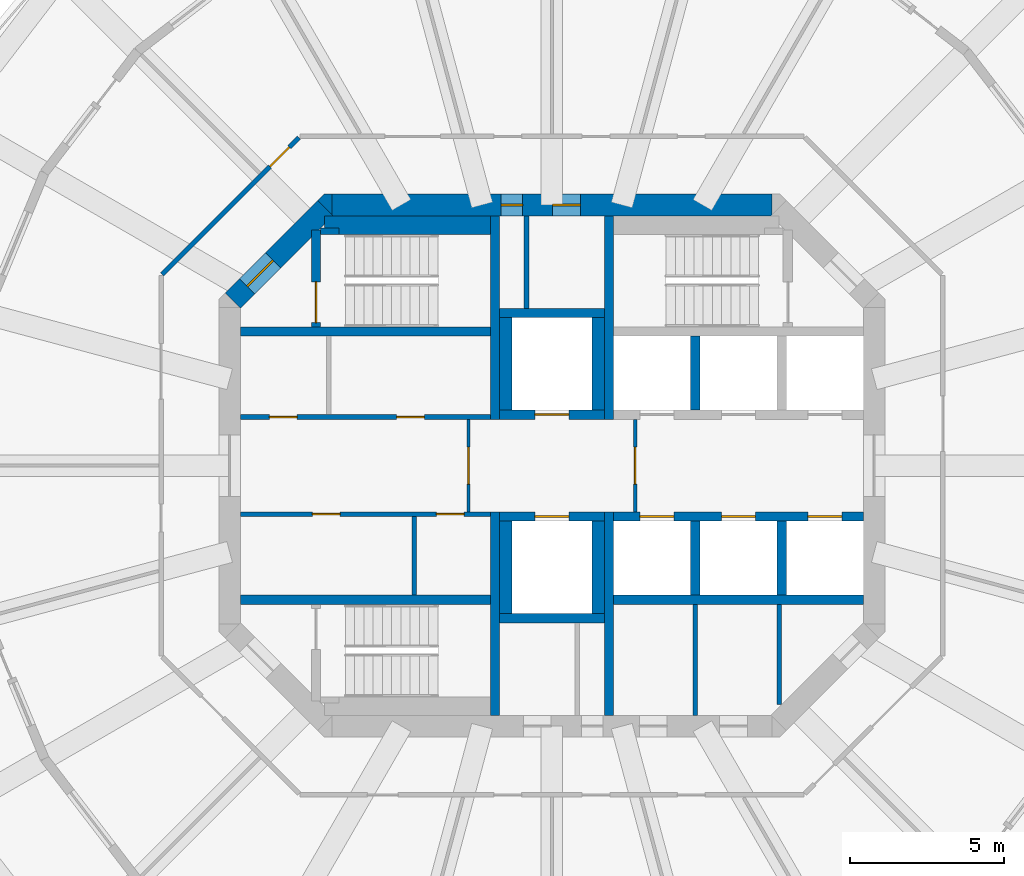
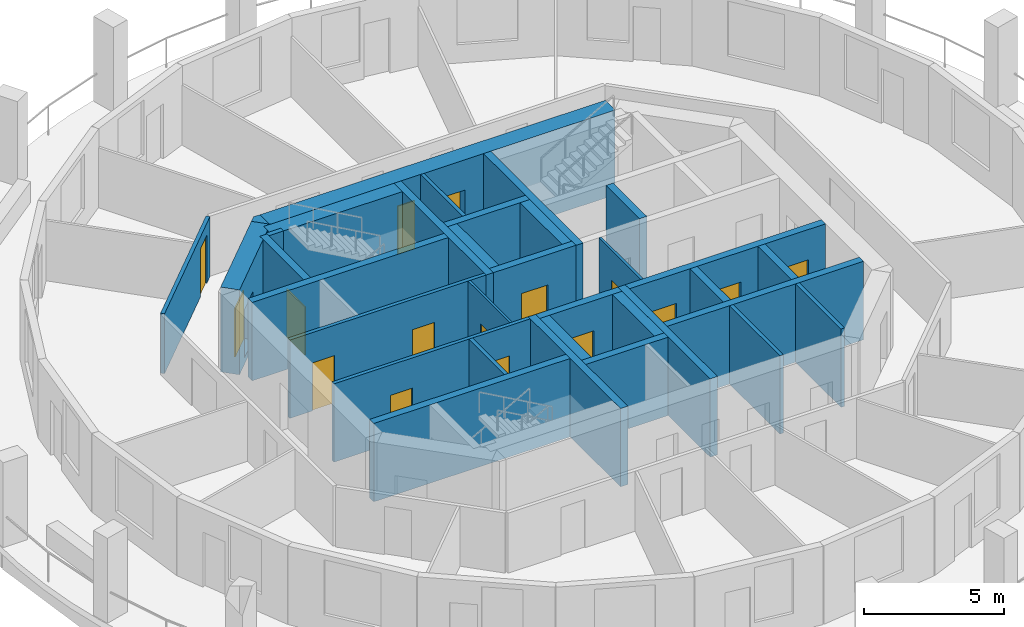
# One storey, part 4 of 9: 34 walls, 16 doors, 16 openings.
"""IFC4 building model written with IfcOpenShell, lengths in metres."""

from ifc_helpers import new_model, si_unit, direction, frame, frame_2d, origin, place, context, subcontext, project, spatial, polyline, rectangle, outline, extrude, material, layer, layer_set, type_object, element, fill, save


model = new_model("IFC4")

# Units and contexts
model_context = context("Model", 3, precision=1e-05, world=origin(), true_north=direction((0.0, 1.0)))
body_context = subcontext(model_context, "Body", "Model", "MODEL_VIEW")
ifc_project = project(units=[si_unit("LENGTHUNIT", "METRE"), si_unit("AREAUNIT", "SQUARE_METRE"), si_unit("VOLUMEUNIT", "CUBIC_METRE"), si_unit("PLANEANGLEUNIT", "RADIAN"), si_unit("MASSUNIT", "GRAM", prefix="KILO")], contexts=[model_context])

# Site, building, storey
site_placement = place(None, origin())
site = spatial("IfcSite", under=ifc_project, at=site_placement, CompositionType="ELEMENT")
building_placement = place(site_placement, origin())
building = spatial("IfcBuilding", under=site, at=building_placement, Name="Torre Triforio", CompositionType="ELEMENT")
storey_placement = place(building_placement, frame((0.0, 0.0, 180.10009765625)))
storey = spatial("IfcBuildingStorey", under=building, at=storey_placement, Name="L41", CompositionType="ELEMENT", Elevation=180.10009765625)

# Walls
ifc_material_1 = material(Name="Concrete C50", Category="concrete")
ifc_layer_1 = layer(ifc_material_1, 0.300048828125)
ifc_layer_set_1 = layer_set([ifc_layer_1], Name="Concrete C50")
wall_type_1 = type_object("IfcWallType", Name="Core wall 300 mm C50 EI 120", PredefinedType="SHEAR", material=ifc_layer_set_1)
for number, where, z_axis, x_axis, name in (
    (1, (-1.85009765625, 1.5, 0.0), (0.0, 0.0, 1.0), (0.0, 1.0, 0.0), "Core wall"),
    (2, (-1.85009765625, -8.10009765625, 0.0), (0.0, 0.0, 1.0), (0.0, 1.0, 0.0), "Core wall"),
    (3, (1.85009765625, 1.5, 0.0), (0.0, 0.0, 1.0), (0.0, 1.0, 0.0), "Core wall"),
    (4, (1.85009765625, -8.10009765625, 0.0), (0.0, 0.0, 1.0), (0.0, 1.0, 0.0), "Core wall"),
):
    element("IfcWall", number, at=place(storey_placement, frame(where, z_axis=z_axis, x_axis=x_axis)), inside=storey, type_object=wall_type_1, Name=name, PredefinedType="SHEAR", context=body_context, shape_type="SweptSolid", body=[
        extrude(rectangle(XDim=6.60009765625, YDim=0.300048828125, at=frame_2d((3.300048828125, 0.0))), origin(), (0.0, 0.0, 1.0), 3.419921875),
    ])

# Wall, openings, doors
ifc_layer_2 = layer(ifc_material_1, 0.699951171875)
ifc_layer_set_2 = layer_set([ifc_layer_2], Name="Concrete C50")
wall_type_2 = type_object("IfcWallType", Name="Core wall 700 mm C50 EI 120", PredefinedType="SHEAR", material=ifc_layer_set_2)
wall_1_placement = place(storey_placement, frame((-7.1298828125, 8.449951171875, -0.280029296875), z_axis=(0.0, 0.0, 1.0), x_axis=(1.0, 0.0, 0.0)))
wall_1 = element("IfcWall", 5, at=wall_1_placement, inside=storey, type_object=wall_type_2, Name="Core wall", PredefinedType="SHEAR", context=body_context, shape_type="SweptSolid", body=[
    extrude(rectangle(XDim=14.259765625, YDim=0.699951171875, at=frame_2d((7.1298828125, 0.0))), origin(), (0.0, 0.0, 1.0), 3.699951171875),
])
opening_1_placement = place(wall_1_placement, frame((5.47998046875, 0.0, 0.280029296875)))
opening_1 = element("IfcOpeningElement", 6, at=opening_1_placement, cuts=wall_1, Name="Opening RISER-N", PredefinedType="OPENING", context=body_context, shape_type="SweptSolid", body=[
    extrude(rectangle(XDim=0.699951171875, YDim=2.10009765625, at=frame_2d((0.35009765625, 1.050048828125))), frame((0.0, 0.35986328125, 0.0), z_axis=(0.0, -1.0, 0.0), x_axis=(1.0, 0.0, 0.0)), (0.0, 0.0, 1.0), 0.719970703125),
])
opening_2_placement = place(wall_1_placement, frame((7.155029296875, 0.0, 0.280029296875)))
opening_2 = element("IfcOpeningElement", 7, at=opening_2_placement, cuts=wall_1, Name="Opening NE-01", PredefinedType="OPENING", context=body_context, shape_type="SweptSolid", body=[
    extrude(rectangle(XDim=0.89990234375, YDim=2.10009765625, at=frame_2d((0.449951171875, 1.050048828125))), frame((0.0, 0.35986328125, 0.0), z_axis=(0.0, -1.0, 0.0), x_axis=(1.0, 0.0, 0.0)), (0.0, 0.0, 1.0), 0.719970703125),
])
ifc_material_2 = material(Name="Hollow metal fire door leaf")
door_type_1 = type_object("IfcDoorType", Name="Riser door 700 x 2100 EI 60", OperationType="NOTDEFINED", PredefinedType="DOOR", material=ifc_material_2)
door_1_placement = place(opening_1_placement, origin())
door_1 = element("IfcDoor", 8, at=door_1_placement, inside=storey, type_object=door_type_1, Name="Core door RISER-N", OperationType="SINGLE_SWING_LEFT", OverallHeight=2.10009765625, OverallWidth=0.699951171875, PredefinedType="DOOR", context=body_context, shape_type="SweptSolid", body=[
    extrude(rectangle(XDim=0.699951171875, YDim=2.10009765625, at=frame_2d((0.35009765625, 1.050048828125))), frame((0.0, 0.02490234375, 0.0), z_axis=(0.0, -1.0, 0.0), x_axis=(1.0, 0.0, 0.0)), (0.0, 0.0, 1.0), 0.050048828125),
])
fill(opening_1, door_1)
door_type_2 = type_object("IfcDoorType", Name="Room door 900 x 2100 EI 60", OperationType="NOTDEFINED", PredefinedType="DOOR", material=ifc_material_2)
door_2_placement = place(opening_2_placement, origin())
door_2 = element("IfcDoor", 9, at=door_2_placement, inside=storey, type_object=door_type_2, Name="Core door NE-01", OperationType="SINGLE_SWING_RIGHT", OverallHeight=2.10009765625, OverallWidth=0.89990234375, PredefinedType="DOOR", context=body_context, shape_type="SweptSolid", body=[
    extrude(rectangle(XDim=0.89990234375, YDim=2.10009765625, at=frame_2d((0.449951171875, 1.050048828125))), frame((0.0, 0.02490234375, 0.0), z_axis=(0.0, -1.0, 0.0), x_axis=(1.0, 0.0, 0.0)), (0.0, 0.0, 1.0), 0.050048828125),
])
fill(opening_2, door_2)

# Wall, opening, door
wall_2_placement = place(storey_placement, frame((-10.347412109375, 5.347412109375, -0.280029296875), z_axis=(0.0, 0.0, 1.0), x_axis=(0.707106781187, 0.707106781187, 0.0)))
wall_2 = element("IfcWall", 10, at=wall_2_placement, inside=storey, type_object=wall_type_2, Name="Core wall", PredefinedType="SHEAR", context=body_context, shape_type="SweptSolid", body=[
    extrude(rectangle(XDim=4.24267578125, YDim=0.699951171875, at=frame_2d((2.121337890625, 0.0))), origin(), (0.0, 0.0, 1.0), 3.699951171875),
])
opening_3_placement = place(wall_2_placement, frame((0.64990234375, 0.0, 0.280029296875)))
opening_3 = element("IfcOpeningElement", 11, at=opening_3_placement, cuts=wall_2, Name="Opening ST1-EXIT", PredefinedType="OPENING", context=body_context, shape_type="SweptSolid", body=[
    extrude(rectangle(XDim=1.199951171875, YDim=2.10009765625, at=frame_2d((0.60009765625, 1.050048828125))), frame((0.0, 0.35986328125, 0.0), z_axis=(0.0, -1.0, 0.0), x_axis=(1.0, 0.0, 0.0)), (0.0, 0.0, 1.0), 0.719970703125),
])
door_type_3 = type_object("IfcDoorType", Name="Stair lobby door 1200 x 2100 EI 60", OperationType="NOTDEFINED", PredefinedType="DOOR", material=ifc_material_2)
door_3_placement = place(opening_3_placement, origin())
door_3 = element("IfcDoor", 12, at=door_3_placement, inside=storey, type_object=door_type_3, Name="Core door ST1-EXIT", OperationType="SINGLE_SWING_RIGHT", OverallHeight=2.10009765625, OverallWidth=1.199951171875, PredefinedType="DOOR", context=body_context, shape_type="SweptSolid", body=[
    extrude(rectangle(XDim=1.199951171875, YDim=2.10009765625, at=frame_2d((0.60009765625, 1.050048828125))), frame((0.0, 0.02490234375, 0.0), z_axis=(0.0, -1.0, 0.0), x_axis=(1.0, 0.0, 0.0)), (0.0, 0.0, 1.0), 0.050048828125),
])
fill(opening_3, door_3)

# Wall
wall_3_placement = place(storey_placement, frame((0.0, 0.0, -0.280029296875)))
element("IfcWall", 13, at=wall_3_placement, inside=storey, type_object=wall_type_2, Name="Core wall", PredefinedType="SHEAR", context=body_context, shape_type="SweptSolid", body=[
    extrude(outline(polyline([(-7.389892578125, 8.800048828125), (-7.1298828125, 8.800048828125), (-7.1298828125, 8.800048828125), (-7.1298828125, 8.1298828125), (-7.594970703125, 8.594970703125), (-7.594970703125, 8.594970703125), (-7.594970703125, 8.594970703125), (-7.389892578125, 8.800048828125)])), origin(), (0.0, 0.0, 1.0), 3.699951171875),
])

# Wall, opening, door
ifc_material_3 = material(Name="Plasterboard on metal studs")
ifc_layer_3 = layer(ifc_material_3, 0.14990234375)
ifc_layer_set_3 = layer_set([ifc_layer_3], Name="Plasterboard on metal studs")
wall_type_3 = type_object("IfcWallType", Name="Corridor and tenancy wall 150 mm EI 60", PredefinedType="PARTITIONING", material=ifc_layer_set_3)
wall_4_placement = place(storey_placement, frame((-12.637939453125, 6.20361328125, 0.0), z_axis=(0.0, 0.0, 1.0), x_axis=(0.707106781187, 0.707106781187, 0.0)))
wall_4 = element("IfcWall", 14, at=wall_4_placement, inside=storey, type_object=wall_type_3, Name="Partition 5", PredefinedType="PARTITIONING", context=body_context, shape_type="SweptSolid", body=[
    extrude(rectangle(XDim=6.27099609375, YDim=0.14990234375, at=frame_2d((3.135498046875, 0.0))), origin(), (0.0, 0.0, 1.0), 2.619873046875),
])
opening_4_placement = place(wall_4_placement, frame((4.935302734375, 0.0, 0.0)))
opening_4 = element("IfcOpeningElement", 15, at=opening_4_placement, cuts=wall_4, Name="Opening O3-15", PredefinedType="OPENING", context=body_context, shape_type="SweptSolid", body=[
    extrude(rectangle(XDim=0.89990234375, YDim=2.10009765625, at=frame_2d((0.449951171875, 1.050048828125))), frame((0.0, 0.0849609375, 0.0), z_axis=(0.0, -1.0, 0.0), x_axis=(1.0, 0.0, 0.0)), (0.0, 0.0, 1.0), 0.169921875),
])
ifc_material_4 = material(Name="Timber", Category="wood")
door_type_4 = type_object("IfcDoorType", Name="Door 900 x 2100 single leaf EI 30", OperationType="NOTDEFINED", PredefinedType="DOOR", material=ifc_material_4)
door_4_placement = place(opening_4_placement, origin())
door_4 = element("IfcDoor", 16, at=door_4_placement, inside=storey, type_object=door_type_4, Name="Door O3-15", OperationType="SINGLE_SWING_LEFT", OverallHeight=2.10009765625, OverallWidth=0.89990234375, PredefinedType="DOOR", context=body_context, shape_type="SweptSolid", body=[
    extrude(rectangle(XDim=0.89990234375, YDim=2.10009765625, at=frame_2d((0.449951171875, 1.050048828125))), frame((0.0, 0.02490234375, 0.0), z_axis=(0.0, -1.0, 0.0), x_axis=(1.0, 0.0, 0.0)), (0.0, 0.0, 1.0), 0.050048828125),
])
fill(opening_4, door_4)

ifc_material_5 = material(Name="Block and board partition")
ifc_layer_4 = layer(ifc_material_5, 0.10009765625)
ifc_layer_set_4 = layer_set([ifc_layer_4], Name="Block and board partition")
wall_type_4 = type_object("IfcWallType", Name="Partition 100 mm EI 120", PredefinedType="PARTITIONING", material=ifc_layer_set_4)
wall_5_placement = place(storey_placement, frame((-2.699951171875, -1.5, 0.0), z_axis=(0.0, 0.0, 1.0), x_axis=(0.0, 1.0, 0.0)))
wall_5 = element("IfcWall", 17, at=wall_5_placement, inside=storey, type_object=wall_type_4, Name="Partition", PredefinedType="PARTITIONING", context=body_context, shape_type="SweptSolid", body=[
    extrude(rectangle(XDim=3.0, YDim=0.10009765625, at=frame_2d((1.5, 0.0))), origin(), (0.0, 0.0, 1.0), 3.419921875),
])
opening_5_placement = place(wall_5_placement, frame((0.89990234375, 0.0, 0.0)))
opening_5 = element("IfcOpeningElement", 18, at=opening_5_placement, cuts=wall_5, Name="Opening FF-W", PredefinedType="OPENING", context=body_context, shape_type="SweptSolid", body=[
    extrude(rectangle(XDim=1.199951171875, YDim=2.10009765625, at=frame_2d((0.60009765625, 1.050048828125))), frame((0.0, 0.06005859375, 0.0), z_axis=(0.0, -1.0, 0.0), x_axis=(1.0, 0.0, 0.0)), (0.0, 0.0, 1.0), 0.1201171875),
])
door_type_5 = type_object("IfcDoorType", Name="Fire-fighting lobby door 1200 x 2100 EI 60", OperationType="NOTDEFINED", PredefinedType="DOOR", material=ifc_material_2)
door_5_placement = place(opening_5_placement, origin())
door_5 = element("IfcDoor", 19, at=door_5_placement, inside=storey, type_object=door_type_5, Name="Core door FF-W", OperationType="SINGLE_SWING_LEFT", OverallHeight=2.10009765625, OverallWidth=1.199951171875, PredefinedType="DOOR", context=body_context, shape_type="SweptSolid", body=[
    extrude(rectangle(XDim=1.199951171875, YDim=2.10009765625, at=frame_2d((0.60009765625, 1.050048828125))), frame((0.0, 0.02490234375, 0.0), z_axis=(0.0, -1.0, 0.0), x_axis=(1.0, 0.0, 0.0)), (0.0, 0.0, 1.0), 0.050048828125),
])
fill(opening_5, door_5)

wall_6_placement = place(storey_placement, frame((2.699951171875, -1.5, 0.0), z_axis=(0.0, 0.0, 1.0), x_axis=(0.0, 1.0, 0.0)))
wall_6 = element("IfcWall", 20, at=wall_6_placement, inside=storey, type_object=wall_type_4, Name="Partition", PredefinedType="PARTITIONING", context=body_context, shape_type="SweptSolid", body=[
    extrude(rectangle(XDim=3.0, YDim=0.10009765625, at=frame_2d((1.5, 0.0))), origin(), (0.0, 0.0, 1.0), 3.419921875),
])
opening_6_placement = place(wall_6_placement, frame((0.89990234375, 0.0, 0.0)))
opening_6 = element("IfcOpeningElement", 21, at=opening_6_placement, cuts=wall_6, Name="Opening FF-E", PredefinedType="OPENING", context=body_context, shape_type="SweptSolid", body=[
    extrude(rectangle(XDim=1.199951171875, YDim=2.10009765625, at=frame_2d((0.60009765625, 1.050048828125))), frame((0.0, 0.06005859375, 0.0), z_axis=(0.0, -1.0, 0.0), x_axis=(1.0, 0.0, 0.0)), (0.0, 0.0, 1.0), 0.1201171875),
])
door_6_placement = place(opening_6_placement, origin())
door_6 = element("IfcDoor", 22, at=door_6_placement, inside=storey, type_object=door_type_5, Name="Core door FF-E", OperationType="SINGLE_SWING_LEFT", OverallHeight=2.10009765625, OverallWidth=1.199951171875, PredefinedType="DOOR", context=body_context, shape_type="SweptSolid", body=[
    extrude(rectangle(XDim=1.199951171875, YDim=2.10009765625, at=frame_2d((0.60009765625, 1.050048828125))), frame((0.0, 0.02490234375, 0.0), z_axis=(0.0, -1.0, 0.0), x_axis=(1.0, 0.0, 0.0)), (0.0, 0.0, 1.0), 0.050048828125),
])
fill(opening_6, door_6)

# Walls
ifc_layer_5 = layer(ifc_material_5, 0.14990234375)
ifc_layer_set_5 = layer_set([ifc_layer_5], Name="Block and board partition")
wall_type_5 = type_object("IfcWallType", Name="Partition 150 mm", PredefinedType="PARTITIONING", material=ifc_layer_set_5)
wall_7_placement = place(storey_placement, frame((4.64892578125, -8.10009765625, 0.0), z_axis=(0.0, 0.0, 1.0), x_axis=(0.0, 1.0, 0.0)))
element("IfcWall", 23, at=wall_7_placement, inside=storey, type_object=wall_type_5, Name="Partition", PredefinedType="PARTITIONING", context=body_context, shape_type="SweptSolid", body=[
    extrude(rectangle(XDim=3.60009765625, YDim=0.14990234375, at=frame_2d((1.800048828125, 0.0))), origin(), (0.0, 0.0, 1.0), 3.419921875),
])
wall_8_placement = place(storey_placement, frame((7.373046875, -7.751953125, 0.0), z_axis=(0.0, 0.0, 1.0), x_axis=(0.0, 1.0, 0.0)))
element("IfcWall", 24, at=wall_8_placement, inside=storey, type_object=wall_type_5, Name="Partition", PredefinedType="PARTITIONING", context=body_context, shape_type="SweptSolid", body=[
    extrude(rectangle(XDim=3.251953125, YDim=0.14990234375, at=frame_2d((1.6259765625, 0.0))), origin(), (0.0, 0.0, 1.0), 3.419921875),
])
wall_9_placement = place(storey_placement, frame((-4.4599609375, -4.199951171875, 0.0), z_axis=(0.0, 0.0, 1.0), x_axis=(0.0, 1.0, 0.0)))
element("IfcWall", 25, at=wall_9_placement, inside=storey, type_object=wall_type_5, Name="Partition", PredefinedType="PARTITIONING", context=body_context, shape_type="SweptSolid", body=[
    extrude(rectangle(XDim=2.550048828125, YDim=0.14990234375, at=frame_2d((1.27490234375, 0.0))), origin(), (0.0, 0.0, 1.0), 3.419921875),
])
ifc_layer_6 = layer(ifc_material_5, 0.14990234375)
ifc_layer_set_6 = layer_set([ifc_layer_6], Name="Block and board partition")
wall_type_6 = type_object("IfcWallType", Name="Partition 150 mm EI 120", PredefinedType="PARTITIONING", material=ifc_layer_set_6)
wall_10_placement = place(storey_placement, frame((-0.824951171875, 5.10009765625, 0.0), z_axis=(0.0, 0.0, 1.0), x_axis=(0.0, 1.0, 0.0)))
element("IfcWall", 26, at=wall_10_placement, inside=storey, type_object=wall_type_6, Name="Partition", PredefinedType="PARTITIONING", context=body_context, shape_type="SweptSolid", body=[
    extrude(rectangle(XDim=3.0, YDim=0.14990234375, at=frame_2d((1.5, 0.0))), origin(), (0.0, 0.0, 1.0), 3.419921875),
])

# Wall, openings, doors
wall_11_placement = place(storey_placement, frame((-10.10009765625, 1.574951171875, 0.0), z_axis=(0.0, 0.0, 1.0), x_axis=(1.0, 0.0, 0.0)))
wall_11 = element("IfcWall", 27, at=wall_11_placement, inside=storey, type_object=wall_type_6, Name="Partition", PredefinedType="PARTITIONING", context=body_context, shape_type="SweptSolid", body=[
    extrude(rectangle(XDim=8.10009765625, YDim=0.14990234375, at=frame_2d((4.050048828125, 0.0))), origin(), (0.0, 0.0, 1.0), 3.419921875),
])
opening_7_placement = place(wall_11_placement, frame((0.941162109375, 0.0, 0.0)))
opening_7 = element("IfcOpeningElement", 28, at=opening_7_placement, cuts=wall_11, Name="Opening FN-01A", PredefinedType="OPENING", context=body_context, shape_type="SweptSolid", body=[
    extrude(rectangle(XDim=0.89990234375, YDim=2.10009765625, at=frame_2d((0.449951171875, 1.050048828125))), frame((0.0, 0.0849609375, 0.0), z_axis=(0.0, -1.0, 0.0), x_axis=(1.0, 0.0, 0.0)), (0.0, 0.0, 1.0), 0.169921875),
])
opening_8_placement = place(wall_11_placement, frame((5.066162109375, 0.0, 0.0)))
opening_8 = element("IfcOpeningElement", 29, at=opening_8_placement, cuts=wall_11, Name="Opening FN-02", PredefinedType="OPENING", context=body_context, shape_type="SweptSolid", body=[
    extrude(rectangle(XDim=0.89990234375, YDim=2.10009765625, at=frame_2d((0.449951171875, 1.050048828125))), frame((0.0, 0.0849609375, 0.0), z_axis=(0.0, -1.0, 0.0), x_axis=(1.0, 0.0, 0.0)), (0.0, 0.0, 1.0), 0.169921875),
])
door_type_6 = type_object("IfcDoorType", Name="Plant room door 900 x 2100 EI 60", OperationType="NOTDEFINED", PredefinedType="DOOR", material=ifc_material_2)
door_7_placement = place(opening_7_placement, origin())
door_7 = element("IfcDoor", 30, at=door_7_placement, inside=storey, type_object=door_type_6, Name="Core door FN-01", OperationType="SINGLE_SWING_RIGHT", OverallHeight=2.10009765625, OverallWidth=0.89990234375, PredefinedType="DOOR", context=body_context, shape_type="SweptSolid", body=[
    extrude(rectangle(XDim=0.89990234375, YDim=2.10009765625, at=frame_2d((0.449951171875, 1.050048828125))), frame((0.0, 0.02490234375, 0.0), z_axis=(0.0, -1.0, 0.0), x_axis=(1.0, 0.0, 0.0)), (0.0, 0.0, 1.0), 0.050048828125),
])
fill(opening_7, door_7)
door_8_placement = place(opening_8_placement, origin())
door_8 = element("IfcDoor", 31, at=door_8_placement, inside=storey, type_object=door_type_2, Name="Core door FN-02", OperationType="SINGLE_SWING_RIGHT", OverallHeight=2.10009765625, OverallWidth=0.89990234375, PredefinedType="DOOR", context=body_context, shape_type="SweptSolid", body=[
    extrude(rectangle(XDim=0.89990234375, YDim=2.10009765625, at=frame_2d((0.449951171875, 1.050048828125))), frame((0.0, 0.02490234375, 0.0), z_axis=(0.0, -1.0, 0.0), x_axis=(1.0, 0.0, 0.0)), (0.0, 0.0, 1.0), 0.050048828125),
])
fill(opening_8, door_8)

wall_12_placement = place(storey_placement, frame((-10.10009765625, -1.574951171875, 0.0), z_axis=(0.0, 0.0, 1.0), x_axis=(1.0, 0.0, 0.0)))
wall_12 = element("IfcWall", 32, at=wall_12_placement, inside=storey, type_object=wall_type_6, Name="Partition", PredefinedType="PARTITIONING", context=body_context, shape_type="SweptSolid", body=[
    extrude(rectangle(XDim=8.10009765625, YDim=0.14990234375, at=frame_2d((4.050048828125, 0.0))), origin(), (0.0, 0.0, 1.0), 3.419921875),
])
opening_9_placement = place(wall_12_placement, frame((2.33251953125, 0.0, 0.0)))
opening_9 = element("IfcOpeningElement", 33, at=opening_9_placement, cuts=wall_12, Name="Opening FS-01", PredefinedType="OPENING", context=body_context, shape_type="SweptSolid", body=[
    extrude(rectangle(XDim=0.89990234375, YDim=2.10009765625, at=frame_2d((0.449951171875, 1.050048828125))), frame((0.0, 0.0849609375, 0.0), z_axis=(0.0, -1.0, 0.0), x_axis=(1.0, 0.0, 0.0)), (0.0, 0.0, 1.0), 0.169921875),
])
opening_10_placement = place(wall_12_placement, frame((6.35009765625, 0.0, 0.0)))
opening_10 = element("IfcOpeningElement", 34, at=opening_10_placement, cuts=wall_12, Name="Opening FS-02A", PredefinedType="OPENING", context=body_context, shape_type="SweptSolid", body=[
    extrude(rectangle(XDim=0.89990234375, YDim=2.10009765625, at=frame_2d((0.449951171875, 1.050048828125))), frame((0.0, 0.0849609375, 0.0), z_axis=(0.0, -1.0, 0.0), x_axis=(1.0, 0.0, 0.0)), (0.0, 0.0, 1.0), 0.169921875),
])
door_9_placement = place(opening_10_placement, origin())
door_9 = element("IfcDoor", 35, at=door_9_placement, inside=storey, type_object=door_type_6, Name="Core door FS-02", OperationType="SINGLE_SWING_LEFT", OverallHeight=2.10009765625, OverallWidth=0.89990234375, PredefinedType="DOOR", context=body_context, shape_type="SweptSolid", body=[
    extrude(rectangle(XDim=0.89990234375, YDim=2.10009765625, at=frame_2d((0.449951171875, 1.050048828125))), frame((0.0, 0.02490234375, 0.0), z_axis=(0.0, -1.0, 0.0), x_axis=(1.0, 0.0, 0.0)), (0.0, 0.0, 1.0), 0.050048828125),
])
fill(opening_10, door_9)
door_10_placement = place(opening_9_placement, origin())
door_10 = element("IfcDoor", 36, at=door_10_placement, inside=storey, type_object=door_type_2, Name="Core door FS-01", OperationType="SINGLE_SWING_LEFT", OverallHeight=2.10009765625, OverallWidth=0.89990234375, PredefinedType="DOOR", context=body_context, shape_type="SweptSolid", body=[
    extrude(rectangle(XDim=0.89990234375, YDim=2.10009765625, at=frame_2d((0.449951171875, 1.050048828125))), frame((0.0, 0.02490234375, 0.0), z_axis=(0.0, -1.0, 0.0), x_axis=(1.0, 0.0, 0.0)), (0.0, 0.0, 1.0), 0.050048828125),
])
fill(opening_9, door_10)

# Walls
ifc_layer_7 = layer(ifc_material_1, 0.300048828125)
ifc_layer_set_7 = layer_set([ifc_layer_7], Name="Concrete C50")
wall_type_7 = type_object("IfcWallType", Name="Shaft wall 300 mm C50 EI 120", PredefinedType="SOLIDWALL", material=ifc_layer_set_7)
for number, where, z_axis, x_axis, name in (
    (37, (-10.10009765625, 4.35009765625, 0.0), (0.0, 0.0, 1.0), (1.0, 0.0, 0.0), "Shaft wall"),
    (38, (-10.10009765625, -4.35009765625, 0.0), (0.0, 0.0, 1.0), (1.0, 0.0, 0.0), "Shaft wall"),
    (39, (2.0, -4.35009765625, 0.0), (0.0, 0.0, 1.0), (1.0, 0.0, 0.0), "Shaft wall"),
):
    element("IfcWall", number, at=place(storey_placement, frame(where, z_axis=z_axis, x_axis=x_axis)), inside=storey, type_object=wall_type_7, Name=name, PredefinedType="SOLIDWALL", context=body_context, shape_type="SweptSolid", body=[
        extrude(rectangle(XDim=8.10009765625, YDim=0.300048828125, at=frame_2d((4.050048828125, 0.0))), origin(), (0.0, 0.0, 1.0), 3.419921875),
    ])

# Wall, openings, doors
wall_13_placement = place(storey_placement, frame((2.0, -1.64990234375, 0.0), z_axis=(0.0, 0.0, 1.0), x_axis=(1.0, 0.0, 0.0)))
wall_13 = element("IfcWall", 40, at=wall_13_placement, inside=storey, type_object=wall_type_7, Name="Shaft wall", PredefinedType="SOLIDWALL", context=body_context, shape_type="SweptSolid", body=[
    extrude(rectangle(XDim=8.10009765625, YDim=0.300048828125, at=frame_2d((4.050048828125, 0.0))), origin(), (0.0, 0.0, 1.0), 3.419921875),
])
opening_11_placement = place(wall_13_placement, frame((0.85009765625, 0.0, 0.0)))
opening_11 = element("IfcOpeningElement", 41, at=opening_11_placement, cuts=wall_13, Name="Opening LD", PredefinedType="OPENING", context=body_context, shape_type="SweptSolid", body=[
    extrude(rectangle(XDim=1.10009765625, YDim=2.10009765625, at=frame_2d((0.550048828125, 1.050048828125))), frame((0.0, 0.159912109375, 0.0), z_axis=(0.0, -1.0, 0.0), x_axis=(1.0, 0.0, 0.0)), (0.0, 0.0, 1.0), 0.320068359375),
])
opening_12_placement = place(wall_13_placement, frame((3.5, 0.0, 0.0)))
opening_12 = element("IfcOpeningElement", 42, at=opening_12_placement, cuts=wall_13, Name="Opening LD", PredefinedType="OPENING", context=body_context, shape_type="SweptSolid", body=[
    extrude(rectangle(XDim=1.10009765625, YDim=2.10009765625, at=frame_2d((0.550048828125, 1.050048828125))), frame((0.0, 0.159912109375, 0.0), z_axis=(0.0, -1.0, 0.0), x_axis=(1.0, 0.0, 0.0)), (0.0, 0.0, 1.0), 0.320068359375),
])
opening_13_placement = place(wall_13_placement, frame((6.300048828125, 0.0, 0.0)))
opening_13 = element("IfcOpeningElement", 43, at=opening_13_placement, cuts=wall_13, Name="Opening LD", PredefinedType="OPENING", context=body_context, shape_type="SweptSolid", body=[
    extrude(rectangle(XDim=1.10009765625, YDim=2.10009765625, at=frame_2d((0.550048828125, 1.050048828125))), frame((0.0, 0.159912109375, 0.0), z_axis=(0.0, -1.0, 0.0), x_axis=(1.0, 0.0, 0.0)), (0.0, 0.0, 1.0), 0.320068359375),
])
door_type_7 = type_object("IfcDoorType", Name="Landing door 1100 x 2100 EI 60", OperationType="DOUBLE_DOOR_SLIDING", PredefinedType="DOOR", material=ifc_material_2)
door_11_placement = place(opening_11_placement, origin())
door_11 = element("IfcDoor", 44, at=door_11_placement, inside=storey, type_object=door_type_7, Name="Landing door HR4", OperationType="DOUBLE_DOOR_SLIDING", OverallHeight=2.10009765625, OverallWidth=1.10009765625, PredefinedType="DOOR", context=body_context, shape_type="SweptSolid", body=[
    extrude(rectangle(XDim=1.10009765625, YDim=2.10009765625, at=frame_2d((0.550048828125, 1.050048828125))), frame((0.0, 0.02490234375, 0.0), z_axis=(0.0, -1.0, 0.0), x_axis=(1.0, 0.0, 0.0)), (0.0, 0.0, 1.0), 0.050048828125),
])
fill(opening_11, door_11)
door_12_placement = place(opening_12_placement, origin())
door_12 = element("IfcDoor", 45, at=door_12_placement, inside=storey, type_object=door_type_7, Name="Landing door HR5", OperationType="DOUBLE_DOOR_SLIDING", OverallHeight=2.10009765625, OverallWidth=1.10009765625, PredefinedType="DOOR", context=body_context, shape_type="SweptSolid", body=[
    extrude(rectangle(XDim=1.10009765625, YDim=2.10009765625, at=frame_2d((0.550048828125, 1.050048828125))), frame((0.0, 0.02490234375, 0.0), z_axis=(0.0, -1.0, 0.0), x_axis=(1.0, 0.0, 0.0)), (0.0, 0.0, 1.0), 0.050048828125),
])
fill(opening_12, door_12)
door_13_placement = place(opening_13_placement, origin())
door_13 = element("IfcDoor", 46, at=door_13_placement, inside=storey, type_object=door_type_7, Name="Landing door HR6", OperationType="DOUBLE_DOOR_SLIDING", OverallHeight=2.10009765625, OverallWidth=1.10009765625, PredefinedType="DOOR", context=body_context, shape_type="SweptSolid", body=[
    extrude(rectangle(XDim=1.10009765625, YDim=2.10009765625, at=frame_2d((0.550048828125, 1.050048828125))), frame((0.0, 0.02490234375, 0.0), z_axis=(0.0, -1.0, 0.0), x_axis=(1.0, 0.0, 0.0)), (0.0, 0.0, 1.0), 0.050048828125),
])
fill(opening_13, door_13)

# Walls
for number, where, z_axis, x_axis, name in (
    (47, (4.64990234375, 1.800048828125, 0.0), (0.0, 0.0, 1.0), (0.0, 1.0, 0.0), "Shaft wall"),
    (48, (4.64990234375, -4.199951171875, 0.0), (0.0, 0.0, 1.0), (0.0, 1.0, 0.0), "Shaft wall"),
    (49, (7.449951171875, -4.199951171875, 0.0), (0.0, 0.0, 1.0), (0.0, 1.0, 0.0), "Shaft wall"),
):
    element("IfcWall", number, at=place(storey_placement, frame(where, z_axis=z_axis, x_axis=x_axis)), inside=storey, type_object=wall_type_7, Name=name, PredefinedType="SOLIDWALL", context=body_context, shape_type="SweptSolid", body=[
        extrude(rectangle(XDim=2.39990234375, YDim=0.300048828125, at=frame_2d((1.199951171875, 0.0))), origin(), (0.0, 0.0, 1.0), 3.419921875),
    ])

# Wall, opening, door
wall_14_placement = place(storey_placement, frame((-1.699951171875, 1.64990234375, 0.0), z_axis=(0.0, 0.0, 1.0), x_axis=(1.0, 0.0, 0.0)))
wall_14 = element("IfcWall", 50, at=wall_14_placement, inside=storey, type_object=wall_type_7, Name="Shaft wall", PredefinedType="SOLIDWALL", context=body_context, shape_type="SweptSolid", body=[
    extrude(rectangle(XDim=3.39990234375, YDim=0.300048828125, at=frame_2d((1.699951171875, 0.0))), origin(), (0.0, 0.0, 1.0), 3.419921875),
])
opening_14_placement = place(wall_14_placement, frame((1.14990234375, 0.0, 0.0)))
opening_14 = element("IfcOpeningElement", 51, at=opening_14_placement, cuts=wall_14, Name="Opening LD", PredefinedType="OPENING", context=body_context, shape_type="SweptSolid", body=[
    extrude(rectangle(XDim=1.10009765625, YDim=2.10009765625, at=frame_2d((0.550048828125, 1.050048828125))), frame((0.0, 0.159912109375, 0.0), z_axis=(0.0, -1.0, 0.0), x_axis=(1.0, 0.0, 0.0)), (0.0, 0.0, 1.0), 0.320068359375),
])
door_14_placement = place(opening_14_placement, origin())
door_14 = element("IfcDoor", 52, at=door_14_placement, inside=storey, type_object=door_type_7, Name="Landing door FFL1", OperationType="DOUBLE_DOOR_SLIDING", OverallHeight=2.10009765625, OverallWidth=1.10009765625, PredefinedType="DOOR", context=body_context, shape_type="SweptSolid", body=[
    extrude(rectangle(XDim=1.10009765625, YDim=2.10009765625, at=frame_2d((0.550048828125, 1.050048828125))), frame((0.0, 0.02490234375, 0.0), z_axis=(0.0, -1.0, 0.0), x_axis=(1.0, 0.0, 0.0)), (0.0, 0.0, 1.0), 0.050048828125),
])
fill(opening_14, door_14)

wall_15_placement = place(storey_placement, frame((-1.699951171875, -1.64990234375, 0.0), z_axis=(0.0, 0.0, 1.0), x_axis=(1.0, 0.0, 0.0)))
wall_15 = element("IfcWall", 53, at=wall_15_placement, inside=storey, type_object=wall_type_7, Name="Shaft wall", PredefinedType="SOLIDWALL", context=body_context, shape_type="SweptSolid", body=[
    extrude(rectangle(XDim=3.39990234375, YDim=0.300048828125, at=frame_2d((1.699951171875, 0.0))), origin(), (0.0, 0.0, 1.0), 3.419921875),
])
opening_15_placement = place(wall_15_placement, frame((1.14990234375, 0.0, 0.0)))
opening_15 = element("IfcOpeningElement", 54, at=opening_15_placement, cuts=wall_15, Name="Opening LD", PredefinedType="OPENING", context=body_context, shape_type="SweptSolid", body=[
    extrude(rectangle(XDim=1.10009765625, YDim=2.10009765625, at=frame_2d((0.550048828125, 1.050048828125))), frame((0.0, 0.159912109375, 0.0), z_axis=(0.0, -1.0, 0.0), x_axis=(1.0, 0.0, 0.0)), (0.0, 0.0, 1.0), 0.320068359375),
])
door_15_placement = place(opening_15_placement, origin())
door_15 = element("IfcDoor", 55, at=door_15_placement, inside=storey, type_object=door_type_7, Name="Landing door FFL2", OperationType="DOUBLE_DOOR_SLIDING", OverallHeight=2.10009765625, OverallWidth=1.10009765625, PredefinedType="DOOR", context=body_context, shape_type="SweptSolid", body=[
    extrude(rectangle(XDim=1.10009765625, YDim=2.10009765625, at=frame_2d((0.550048828125, 1.050048828125))), frame((0.0, 0.02490234375, 0.0), z_axis=(0.0, -1.0, 0.0), x_axis=(1.0, 0.0, 0.0)), (0.0, 0.0, 1.0), 0.050048828125),
])
fill(opening_15, door_15)

# Walls
for number, where, z_axis, x_axis, name in (
    (56, (-1.699951171875, 4.949951171875, 0.0), (0.0, 0.0, 1.0), (1.0, 0.0, 0.0), "Shaft wall"),
    (57, (-1.699951171875, -4.949951171875, 0.0), (0.0, 0.0, 1.0), (1.0, 0.0, 0.0), "Shaft wall"),
):
    element("IfcWall", number, at=place(storey_placement, frame(where, z_axis=z_axis, x_axis=x_axis)), inside=storey, type_object=wall_type_7, Name=name, PredefinedType="SOLIDWALL", context=body_context, shape_type="SweptSolid", body=[
        extrude(rectangle(XDim=3.39990234375, YDim=0.300048828125, at=frame_2d((1.699951171875, 0.0))), origin(), (0.0, 0.0, 1.0), 3.419921875),
    ])
ifc_layer_8 = layer(ifc_material_1, 0.39990234375)
ifc_layer_set_8 = layer_set([ifc_layer_8], Name="Concrete C50")
wall_type_8 = type_object("IfcWallType", Name="Shaft wall 400 mm C50 EI 120", PredefinedType="SOLIDWALL", material=ifc_layer_set_8)
for number, where, z_axis, x_axis, name in (
    (58, (-1.5, 1.800048828125, 0.0), (0.0, 0.0, 1.0), (0.0, 1.0, 0.0), "Shaft wall"),
    (59, (-1.5, -4.800048828125, 0.0), (0.0, 0.0, 1.0), (0.0, 1.0, 0.0), "Shaft wall"),
    (60, (1.5, 1.800048828125, 0.0), (0.0, 0.0, 1.0), (0.0, 1.0, 0.0), "Shaft wall"),
    (61, (1.5, -4.800048828125, 0.0), (0.0, 0.0, 1.0), (0.0, 1.0, 0.0), "Shaft wall"),
):
    element("IfcWall", number, at=place(storey_placement, frame(where, z_axis=z_axis, x_axis=x_axis)), inside=storey, type_object=wall_type_8, Name=name, PredefinedType="SOLIDWALL", context=body_context, shape_type="SweptSolid", body=[
        extrude(rectangle(XDim=3.0, YDim=0.39990234375, at=frame_2d((1.5, 0.0))), origin(), (0.0, 0.0, 1.0), 3.419921875),
    ])
ifc_layer_9 = layer(ifc_material_1, 0.199951171875)
ifc_layer_set_9 = layer_set([ifc_layer_9], Name="Concrete C50")
wall_type_9 = type_object("IfcWallType", Name="Stair wall 200 mm C50 EI 120", PredefinedType="SHEAR", material=ifc_layer_set_9)
wall_16_placement = place(storey_placement, frame((-7.5, 7.60009765625, 0.0), z_axis=(0.0, 0.0, 1.0), x_axis=(1.0, 0.0, 0.0)))
element("IfcWall", 62, at=wall_16_placement, inside=storey, type_object=wall_type_9, Name="Stair wall", PredefinedType="SHEAR", context=body_context, shape_type="SweptSolid", body=[
    extrude(rectangle(XDim=0.60009765625, YDim=0.199951171875, at=frame_2d((0.300048828125, 0.0))), origin(), (0.0, 0.0, 1.0), 3.419921875),
])

# Wall, opening, door
ifc_layer_10 = layer(ifc_material_1, 0.300048828125)
ifc_layer_set_10 = layer_set([ifc_layer_10], Name="Concrete C50")
wall_type_10 = type_object("IfcWallType", Name="Stair wall 300 mm C50 EI 120", PredefinedType="SHEAR", material=ifc_layer_set_10)
wall_17_placement = place(storey_placement, frame((-7.64990234375, 4.5, 0.0), z_axis=(0.0, 0.0, 1.0), x_axis=(0.0, 1.0, 0.0)))
wall_17 = element("IfcWall", 63, at=wall_17_placement, inside=storey, type_object=wall_type_10, Name="Stair wall", PredefinedType="SHEAR", context=body_context, shape_type="SweptSolid", body=[
    extrude(rectangle(XDim=3.139892578125, YDim=0.300048828125, at=frame_2d((1.56982421875, 0.0))), origin(), (0.0, 0.0, 1.0), 3.419921875),
])
opening_16_placement = place(wall_17_placement, frame((0.139892578125, 0.0, 0.0)))
opening_16 = element("IfcOpeningElement", 64, at=opening_16_placement, cuts=wall_17, Name="Opening ST1-STA", PredefinedType="OPENING", context=body_context, shape_type="SweptSolid", body=[
    extrude(rectangle(XDim=1.320068359375, YDim=2.10009765625, at=frame_2d((0.66015625, 1.050048828125))), frame((0.0, 0.159912109375, 0.0), z_axis=(0.0, -1.0, 0.0), x_axis=(1.0, 0.0, 0.0)), (0.0, 0.0, 1.0), 0.320068359375),
])
door_type_8 = type_object("IfcDoorType", Name="Stair door 1320 x 2100 EI 90", OperationType="DOUBLE_DOOR_SINGLE_SWING", PredefinedType="DOOR", material=ifc_material_2)
door_16_placement = place(opening_16_placement, origin())
door_16 = element("IfcDoor", 65, at=door_16_placement, inside=storey, type_object=door_type_8, Name="Core door ST1-ST", OperationType="DOUBLE_DOOR_SINGLE_SWING", OverallHeight=2.10009765625, OverallWidth=1.320068359375, PredefinedType="DOOR", context=body_context, shape_type="SweptSolid", body=[
    extrude(rectangle(XDim=1.320068359375, YDim=2.10009765625, at=frame_2d((0.66015625, 1.050048828125))), frame((0.0, 0.02490234375, 0.0), z_axis=(0.0, -1.0, 0.0), x_axis=(1.0, 0.0, 0.0)), (0.0, 0.0, 1.0), 0.050048828125),
])
fill(opening_16, door_16)

# Wall
ifc_layer_11 = layer(ifc_material_1, 0.60009765625)
ifc_layer_set_11 = layer_set([ifc_layer_11], Name="Concrete C50")
wall_type_11 = type_object("IfcWallType", Name="Stair wall 600 mm C50 EI 120", PredefinedType="SHEAR", material=ifc_layer_set_11)
wall_18_placement = place(storey_placement, frame((-7.3701171875, 7.800048828125, 0.0), z_axis=(0.0, 0.0, 1.0), x_axis=(1.0, 0.0, 0.0)))
element("IfcWall", 66, at=wall_18_placement, inside=storey, type_object=wall_type_11, Name="Stair wall", PredefinedType="SHEAR", context=body_context, shape_type="SweptSolid", body=[
    extrude(rectangle(XDim=5.3701171875, YDim=0.60009765625, at=frame_2d((2.68505859375, 0.0))), origin(), (0.0, 0.0, 1.0), 3.419921875),
])

save(model, "model.ifc")
